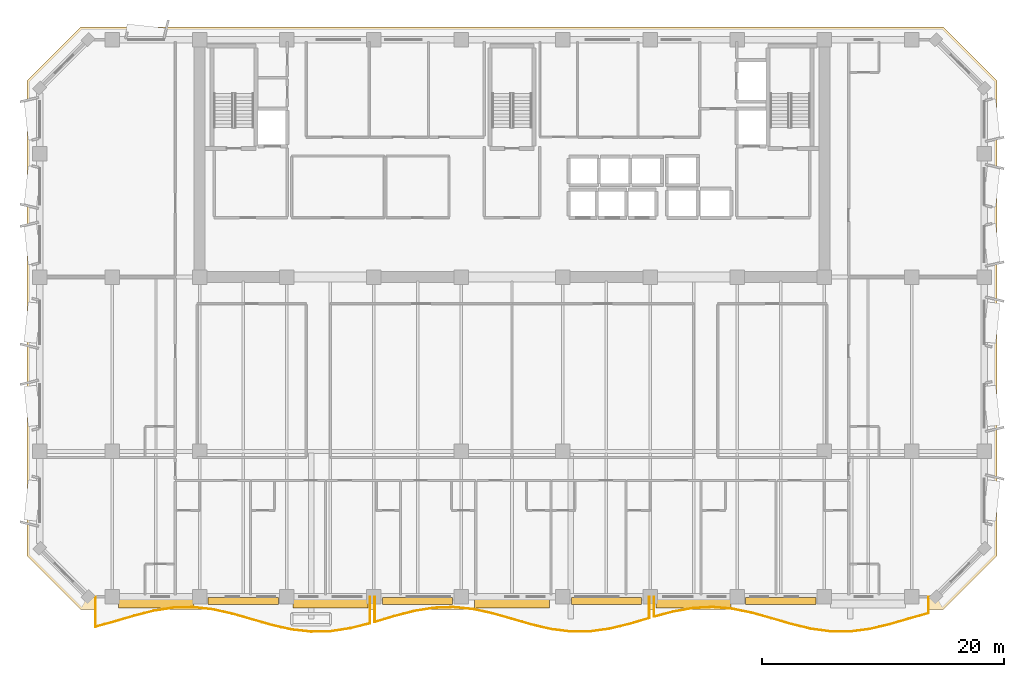
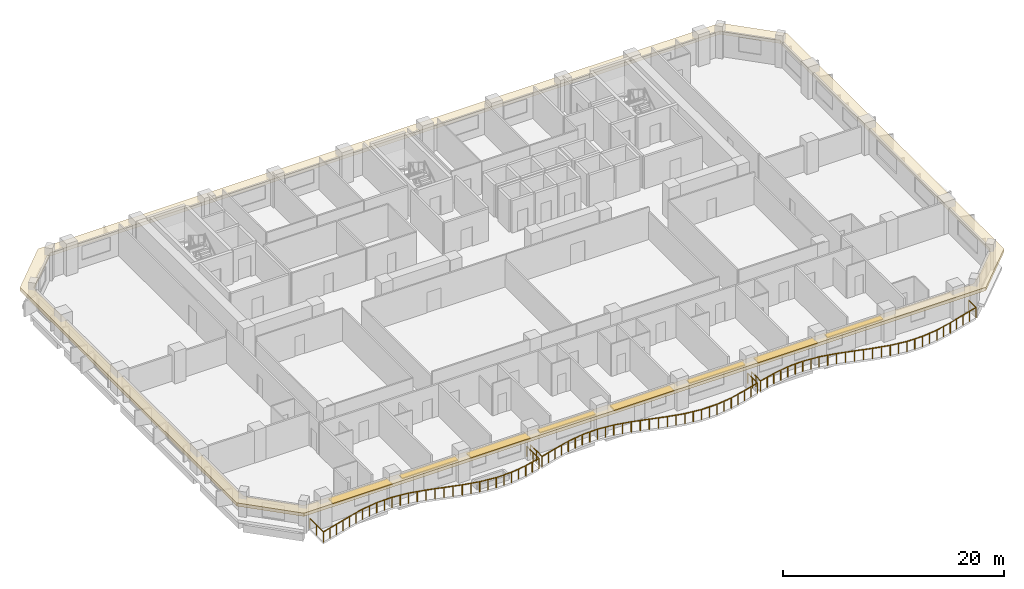
# One storey, part 11 of 15: 8 shading devices, 3 railings, 1 covering.
"""IFC4 building model written with IfcOpenShell, lengths in metres."""

import ifcopenshell
import ifcopenshell.guid

model = None  # the IFC model being written
_history = None  # IfcOwnerHistory: only IFC2X3 demands one
_inside = {}  # id of a spatial element -> (the spatial element, [elements in it])
_under = {}  # id of a project, library or spatial element -> (it, [spatial elements below it])
_declared = {}  # id of a project -> (the project, [libraries it declares])
_typed = {}  # id of a type object -> (the type object, [elements of that type])
_made_of = {}  # id of a material, layer set ... -> (it, [elements and type objects made of it])


def new_model(schema):
    """Start an empty IFC model of exactly this schema.

    Asked for "IFC4X3", IfcOpenShell would pick the latest addendum, in which some entities
    have other attributes; the version numbers below select the first issue.
    IFC2X3 requires an IfcOwnerHistory on every rooted entity: one is made here for all.
    """
    global model, _history
    if schema == "IFC4X3":
        model = ifcopenshell.file(schema_version=(4, 3, 0, 0))
    else:
        model = ifcopenshell.file(schema=schema)
    _inside.clear()
    _under.clear()
    _declared.clear()
    _typed.clear()
    _made_of.clear()
    _history = None
    if model.schema == "IFC2X3":
        org = make("IfcOrganization", Name="unknown")
        user = make(
            "IfcPersonAndOrganization",
            ThePerson=make("IfcPerson", FamilyName="unknown"),
            TheOrganization=org,
        )
        app = make(
            "IfcApplication",
            ApplicationDeveloper=org,
            Version="unknown",
            ApplicationFullName="unknown",
            ApplicationIdentifier="unknown",
        )
        _history = make(
            "IfcOwnerHistory",
            OwningUser=user,
            OwningApplication=app,
            ChangeAction="ADDED",
            CreationDate=0,
        )
    return model


def make(cls, **values):
    """One entity of the class cls with the attributes given. An attribute that is None is left unset."""
    return model.create_entity(
        cls, **{name: value for name, value in values.items() if value is not None}
    )


def rooted(cls, **values):
    """An entity with a GlobalId (a new one), such as an element, a storey or a relation."""
    return make(cls, GlobalId=ifcopenshell.guid.new(), OwnerHistory=_history, **values)


def si_unit(unit_type, name, prefix=None):
    """IfcSIUnit, for example si_unit("LENGTHUNIT", "METRE", prefix="MILLI")."""
    return make("IfcSIUnit", UnitType=unit_type, Prefix=prefix, Name=name)


def assignment(units):
    """IfcUnitAssignment: the units of a project."""
    return None if units is None else make("IfcUnitAssignment", Units=units)


def point(xyz):
    """IfcCartesianPoint."""
    return None if xyz is None else make("IfcCartesianPoint", Coordinates=xyz)


def direction(xyz):
    """IfcDirection."""
    return None if xyz is None else make("IfcDirection", DirectionRatios=xyz)


def frame(location, z_axis=None, x_axis=None):
    """IfcAxis2Placement3D, a coordinate frame: its origin and axes. An axis left out is left unset."""
    return make(
        "IfcAxis2Placement3D",
        Location=point(location),
        Axis=direction(z_axis),
        RefDirection=direction(x_axis),
    )


def frame_2d(location, x_axis=None):
    """IfcAxis2Placement2D, a coordinate frame in the plane: its origin and x axis."""
    return make(
        "IfcAxis2Placement2D", Location=point(location), RefDirection=direction(x_axis)
    )


def origin():
    """The frame at (0, 0, 0) with its axes left unset."""
    return frame((0.0, 0.0, 0.0))


def origin_2d():
    """The frame at (0, 0) in the plane with its x axis left unset."""
    return frame_2d((0.0, 0.0))


def place(relative_to, where):
    """IfcLocalPlacement: puts the frame where relative to a parent placement (None: the world)."""
    return make(
        "IfcLocalPlacement", PlacementRelTo=relative_to, RelativePlacement=where
    )


def context(
    kind, dimensions, precision=None, world=None, true_north=None, identifier=None
):
    """IfcGeometricRepresentationContext, for example the 3D "Model" context."""
    return make(
        "IfcGeometricRepresentationContext",
        ContextIdentifier=identifier,
        ContextType=kind,
        CoordinateSpaceDimension=dimensions,
        Precision=precision,
        WorldCoordinateSystem=world,
        TrueNorth=true_north,
    )


def subcontext(parent, identifier, kind, view, scale=None):
    """IfcGeometricRepresentationSubContext, for example "Body" below "Model"."""
    return make(
        "IfcGeometricRepresentationSubContext",
        ContextIdentifier=identifier,
        ContextType=kind,
        ParentContext=parent,
        TargetScale=scale,
        TargetView=view,
    )


def project(units=None, contexts=None):
    """IfcProject with its units and contexts."""
    return rooted(
        "IfcProject",
        Name="project",
        RepresentationContexts=contexts,
        UnitsInContext=assignment(units),
    )


def spatial(cls, under=None, at=None, **own):
    """A site, building, storey or space (cls), placed at a placement, below another one or the project."""
    s = rooted(cls, ObjectPlacement=at, **own)
    if under is not None:
        _under.setdefault(under.id(), (under, []))[1].append(s)
    return s


def polyline(points):
    """IfcPolyline through the points."""
    return make("IfcPolyline", Points=[point(p) for p in points])


def profile(cls, at=None, kind="AREA", **sizes):
    """A parametric profile (cls). Its sizes go by their IFC names, for example OverallWidth=200.0."""
    return make(cls, ProfileType=kind, Position=at, **sizes)


def rectangle(**sizes):
    """IfcRectangleProfileDef."""
    return profile("IfcRectangleProfileDef", **sizes)


def outline(outer, holes=None, kind="AREA"):
    """IfcArbitraryClosedProfileDef: a profile drawn as a closed curve; with holes, ...WithVoids."""
    if holes is None:
        return make("IfcArbitraryClosedProfileDef", ProfileType=kind, OuterCurve=outer)
    return make(
        "IfcArbitraryProfileDefWithVoids",
        ProfileType=kind,
        OuterCurve=outer,
        InnerCurves=holes,
    )


def extrude(swept, where, along, depth):
    """IfcExtrudedAreaSolid: the profile swept, set in the frame where, extruded along a direction by depth."""
    return make(
        "IfcExtrudedAreaSolid",
        SweptArea=swept,
        Position=where,
        ExtrudedDirection=direction(along),
        Depth=depth,
    )


def shape(context_of_items, identifier, shape_type, items):
    """IfcShapeRepresentation: the items that make up one representation, for example the "Body"."""
    return make(
        "IfcShapeRepresentation",
        ContextOfItems=context_of_items,
        RepresentationIdentifier=identifier,
        RepresentationType=shape_type,
        Items=items,
    )


def material(Name=None, Category=None):
    """IfcMaterial."""
    return make("IfcMaterial", Name=Name, Category=Category)


def layer(
    of_material, thickness, ventilated=None, Name=None, Category=None, Priority=None
):
    """IfcMaterialLayer: one layer of a wall or slab, of a material (None: an air gap)."""
    return make(
        "IfcMaterialLayer",
        Material=of_material,
        LayerThickness=thickness,
        IsVentilated=ventilated,
        Name=Name,
        Category=Category,
        Priority=Priority,
    )


def layer_set(layers, Name=None):
    """IfcMaterialLayerSet."""
    return make("IfcMaterialLayerSet", MaterialLayers=layers, LayerSetName=Name)


def made_of(thing, what):
    """Note that an element or type object is made of a material, layer set ...; save() writes the relation."""
    if what is not None:
        _made_of.setdefault(what.id(), (what, []))[1].append(thing)
    return thing


def type_object(cls, material=None, **own):
    """A type object (cls), such as IfcWallType, which elements share."""
    return made_of(rooted(cls, **own), material)


def element(
    cls,
    number,
    at=None,
    inside=None,
    cuts=None,
    type_object=None,
    material=None,
    context=None,
    identifier="Body",
    shape_type=None,
    held_by="IfcProductDefinitionShape",
    body=None,
    shapes=None,
    **own,
):
    """One element of the class cls, such as IfcWall. Its Tag is "e" and its number.

    at: its placement. inside: the storey or other place that contains it. cuts: it is an
    opening in that element (IfcRelVoidsElement). A single representation is given by context,
    identifier, shape_type and body (its items); several are given by shapes. held_by: the class
    of the entity that holds the representations. save() writes the other relations.
    """
    e = rooted(cls, Tag="e%d" % number, ObjectPlacement=at, **own)
    if body is not None:
        shapes = [shape(context, identifier, shape_type, body)]
    if shapes is not None:
        e.Representation = make(held_by, Representations=shapes)
    if inside is not None:
        _inside.setdefault(inside.id(), (inside, []))[1].append(e)
    if cuts is not None:
        rooted(
            "IfcRelVoidsElement", RelatingBuildingElement=cuts, RelatedOpeningElement=e
        )
    if type_object is not None:
        _typed.setdefault(type_object.id(), (type_object, []))[1].append(e)
    return made_of(e, material)


def aggregate(whole, parts):
    """IfcRelAggregates: a whole, such as a stair, and the parts it consists of."""
    return rooted("IfcRelAggregates", RelatingObject=whole, RelatedObjects=parts)


def save(model, path):
    """Write the relations noted so far, then the file.

    IfcRelAggregates (storeys below a building ...), IfcRelContainedInSpatialStructure (elements
    in a storey), IfcRelDefinesByType, IfcRelAssociatesMaterial and IfcRelDeclares: one each for
    every whole, place, type object, material and project.
    """
    for whole, parts in _under.values():
        aggregate(whole, parts)
    for where, things in _inside.values():
        rooted(
            "IfcRelContainedInSpatialStructure",
            RelatedElements=things,
            RelatingStructure=where,
        )
    for kind, things in _typed.values():
        rooted("IfcRelDefinesByType", RelatedObjects=things, RelatingType=kind)
    for what, things in _made_of.values():
        rooted("IfcRelAssociatesMaterial", RelatedObjects=things, RelatingMaterial=what)
    for by, libraries in _declared.values():
        rooted("IfcRelDeclares", RelatingContext=by, RelatedDefinitions=libraries)
    model.write(path)


model = new_model("IFC4")

# Units and contexts
model_context = context("Model", 3, precision=1e-05, world=origin(), true_north=direction((0.0, 1.0)))
body_context = subcontext(model_context, "Body", "Model", "MODEL_VIEW")
ifc_project = project(units=[si_unit("LENGTHUNIT", "METRE"), si_unit("AREAUNIT", "SQUARE_METRE"), si_unit("VOLUMEUNIT", "CUBIC_METRE"), si_unit("PLANEANGLEUNIT", "RADIAN"), si_unit("MASSUNIT", "GRAM", prefix="KILO")], contexts=[model_context])

# Site, building, storey
site_placement = place(None, origin())
site = spatial("IfcSite", under=ifc_project, at=site_placement, CompositionType="ELEMENT")
building_placement = place(site_placement, origin())
building = spatial("IfcBuilding", under=site, at=building_placement, Name="Kaelvorn Grand Hotel", CompositionType="ELEMENT")
storey_placement = place(building_placement, frame((0.0, 0.0, 158.14990234375)))
storey = spatial("IfcBuildingStorey", under=building, at=storey_placement, Name="L38", CompositionType="ELEMENT", Elevation=158.14990234375)

# Covering
ifc_material_1 = material(Name="Precast concrete C45/55", Category="concrete")
ifc_layer_1 = layer(ifc_material_1, 0.260009765625)
ifc_layer_set_1 = layer_set([ifc_layer_1], Name="Precast concrete C45/55")
covering_type = type_object("IfcCoveringType", Name="COV-BAND-STREAMLINE-HEAD", PredefinedType="CLADDING", material=ifc_layer_set_1)
covering_placement = place(storey_placement, frame((0.0, 0.0, 2.380126953125)))
element("IfcCovering", 1, at=covering_placement, inside=storey, type_object=covering_type, Name="L38 Streamline Moderne Wraparound Horizontal Eyebrow Band", PredefinedType="CLADDING", context=body_context, shape_type="SweptSolid", body=[
    extrude(outline(polyline([(6.389892578125, 1.949951171875), (77.610107421875, 1.949951171875), (82.050048828125, 6.389892578125), (82.050048828125, 45.610107421875), (77.610107421875, 50.050048828125), (6.389892578125, 50.050048828125), (1.949951171875, 45.610107421875), (1.949951171875, 6.389892578125), (6.389892578125, 1.949951171875)]), holes=[polyline([(7.02001953125, 3.030029296875), (76.97998046875, 3.030029296875), (80.969970703125, 7.02001953125), (80.969970703125, 44.97998046875), (76.97998046875, 48.969970703125), (7.02001953125, 48.969970703125), (3.030029296875, 44.97998046875), (3.030029296875, 7.02001953125), (7.02001953125, 3.030029296875)])]), origin(), (0.0, 0.0, 1.0), 0.35986328125),
])

# Railings
ifc_material_2 = material(Name="Stainless Steel", Category="steel")
railing_type = type_object("IfcRailingType", Name="RL-BALC-1150", PredefinedType="BALUSTRADE", material=ifc_material_2)
railing_1_placement = place(storey_placement, frame((7.60009765625, 3.0, 0.0)))
element("IfcRailing", 2, at=railing_1_placement, inside=storey, type_object=railing_type, Name="L38 Scalloped Wave Balcony Balustrade GR1-1", PredefinedType="BALUSTRADE", context=body_context, shape_type="SweptSolid", body=[
    extrude(rectangle(XDim=0.048095703125, YDim=0.048095703125, at=origin_2d()), frame((0.0, 0.0, 1.1259765625), z_axis=(0.0, -1.0, 0.0), x_axis=(1.0, 0.0, 0.0)), (0.0, 0.0, 1.0), 2.4775390625),
    extrude(rectangle(XDim=0.048095703125, YDim=0.048095703125, at=origin_2d()), frame((0.0, -2.4775390625, 1.1259765625), z_axis=(0.964706723911, 0.263326673244, 0.0), x_axis=(-0.263326673244, 0.964706723911, 0.0)), (0.0, 0.0, 1.0), 1.67822265625),
    extrude(rectangle(XDim=0.048095703125, YDim=0.048095703125, at=origin_2d()), frame((1.618896484375, -2.03564453125, 1.1259765625), z_axis=(0.959271015447, 0.282487378343, 0.0), x_axis=(-0.282487378343, 0.959271015447, 0.0)), (0.0, 0.0, 1.0), 1.68798828125),
    extrude(rectangle(XDim=0.048095703125, YDim=0.048095703125, at=origin_2d()), frame((3.238037109375, -1.558837890625, 1.1259765625), z_axis=(0.969684876745, 0.244358834119, 0.0), x_axis=(-0.244358834119, 0.969684876745, 0.0)), (0.0, 0.0, 1.0), 1.66943359375),
    extrude(rectangle(XDim=0.048095703125, YDim=0.048095703125, at=origin_2d()), frame((4.85693359375, -1.15087890625, 1.1259765625), z_axis=(0.988266376018, 0.152740204375, 0.0), x_axis=(-0.152740204375, 0.988266376018, 0.0)), (0.0, 0.0, 1.0), 1.638427734375),
    extrude(rectangle(XDim=0.048095703125, YDim=0.048095703125, at=origin_2d()), frame((6.47607421875, -0.900634765625, 1.1259765625), z_axis=(0.999719909885, 0.023666469519, 0.0), x_axis=(-0.023666469519, 0.999719909885, 0.0)), (0.0, 0.0, 1.0), 1.61962890625),
    extrude(rectangle(XDim=0.048095703125, YDim=0.048095703125, at=origin_2d()), frame((8.09521484375, -0.8623046875, 1.1259765625), z_axis=(0.993714448336, -0.111944607587, 0.0), x_axis=(0.111944607587, 0.993714448336, 0.0)), (0.0, 0.0, 1.0), 1.629150390625),
    extrude(rectangle(XDim=0.048095703125, YDim=0.048095703125, at=origin_2d()), frame((9.714111328125, -1.044677734375, 1.1259765625), z_axis=(0.975741913749, -0.218923999949, 0.0), x_axis=(0.218923999949, 0.975741913749, 0.0)), (0.0, 0.0, 1.0), 1.659423828125),
    extrude(rectangle(XDim=0.048095703125, YDim=0.048095703125, at=origin_2d()), frame((11.333251953125, -1.407958984375, 1.1259765625), z_axis=(0.961173148549, -0.275945970271, 0.0), x_axis=(0.275945970271, 0.961173148549, 0.0)), (0.0, 0.0, 1.0), 1.6845703125),
    extrude(rectangle(XDim=0.048095703125, YDim=0.048095703125, at=origin_2d()), frame((12.952392578125, -1.872802734375, 1.1259765625), z_axis=(0.961085178818, -0.276252201904, 0.0), x_axis=(0.276252201904, 0.961085178818, 0.0)), (0.0, 0.0, 1.0), 1.684326171875),
    extrude(rectangle(XDim=0.048095703125, YDim=0.048095703125, at=origin_2d()), frame((14.5712890625, -2.338134765625, 1.1259765625), z_axis=(0.975584547078, -0.219624205185, 0.0), x_axis=(0.219624205185, 0.975584547078, 0.0)), (0.0, 0.0, 1.0), 1.65966796875),
    extrude(rectangle(XDim=0.048095703125, YDim=0.048095703125, at=origin_2d()), frame((16.1904296875, -2.70263671875, 1.1259765625), z_axis=(0.993580397726, -0.113128215998, 0.0), x_axis=(0.113128215998, 0.993580397726, 0.0)), (0.0, 0.0, 1.0), 1.62939453125),
    extrude(rectangle(XDim=0.048095703125, YDim=0.048095703125, at=origin_2d()), frame((17.809326171875, -2.886962890625, 1.1259765625), z_axis=(0.999751090068, 0.022310488741, 0.0), x_axis=(-0.022310488741, 0.999751090068, 0.0)), (0.0, 0.0, 1.0), 1.61962890625),
    extrude(rectangle(XDim=0.048095703125, YDim=0.048095703125, at=origin_2d()), frame((19.428466796875, -2.850830078125, 1.1259765625), z_axis=(0.988423330197, 0.151721192723, 0.0), x_axis=(-0.151721192723, 0.988423330197, 0.0)), (0.0, 0.0, 1.0), 1.63818359375),
    extrude(rectangle(XDim=0.048095703125, YDim=0.048095703125, at=origin_2d()), frame((21.047607421875, -2.602294921875, 1.1259765625), z_axis=(0.969857916649, 0.243671133937, 0.0), x_axis=(-0.243671133937, 0.969857916649, 0.0)), (0.0, 0.0, 1.0), 1.669189453125),
    extrude(rectangle(XDim=0.048095703125, YDim=0.048095703125, at=origin_2d()), frame((22.66650390625, -2.195556640625, 1.1259765625), z_axis=(0.0, 1.0, 0.0), x_axis=(-1.0, 0.0, 0.0)), (0.0, 0.0, 1.0), 2.195556640625),
    extrude(rectangle(XDim=0.0419921875, YDim=0.0419921875, at=origin_2d()), origin(), (0.0, 0.0, 1.0), 1.101806640625),
    extrude(rectangle(XDim=0.0419921875, YDim=0.0419921875, at=origin_2d()), frame((0.0, -1.23876953125, 0.0)), (0.0, 0.0, 1.0), 1.101806640625),
    extrude(rectangle(XDim=0.0419921875, YDim=0.0419921875, at=origin_2d()), frame((0.0, -2.4775390625, 0.0)), (0.0, 0.0, 1.0), 1.101806640625),
    extrude(rectangle(XDim=0.0419921875, YDim=0.0419921875, at=origin_2d()), frame((0.8095703125, -2.256591796875, 0.0)), (0.0, 0.0, 1.0), 1.101806640625),
    extrude(rectangle(XDim=0.0419921875, YDim=0.0419921875, at=origin_2d()), frame((1.618896484375, -2.03564453125, 0.0)), (0.0, 0.0, 1.0), 1.101806640625),
    extrude(rectangle(XDim=0.0419921875, YDim=0.0419921875, at=origin_2d()), frame((2.428466796875, -1.79736328125, 0.0)), (0.0, 0.0, 1.0), 1.101806640625),
    extrude(rectangle(XDim=0.0419921875, YDim=0.0419921875, at=origin_2d()), frame((3.238037109375, -1.558837890625, 0.0)), (0.0, 0.0, 1.0), 1.101806640625),
    extrude(rectangle(XDim=0.0419921875, YDim=0.0419921875, at=origin_2d()), frame((4.04736328125, -1.35498046875, 0.0)), (0.0, 0.0, 1.0), 1.101806640625),
    extrude(rectangle(XDim=0.0419921875, YDim=0.0419921875, at=origin_2d()), frame((4.85693359375, -1.15087890625, 0.0)), (0.0, 0.0, 1.0), 1.101806640625),
    extrude(rectangle(XDim=0.0419921875, YDim=0.0419921875, at=origin_2d()), frame((5.66650390625, -1.02587890625, 0.0)), (0.0, 0.0, 1.0), 1.101806640625),
    extrude(rectangle(XDim=0.0419921875, YDim=0.0419921875, at=origin_2d()), frame((6.47607421875, -0.900634765625, 0.0)), (0.0, 0.0, 1.0), 1.101806640625),
    extrude(rectangle(XDim=0.0419921875, YDim=0.0419921875, at=origin_2d()), frame((7.28564453125, -0.88134765625, 0.0)), (0.0, 0.0, 1.0), 1.101806640625),
    extrude(rectangle(XDim=0.0419921875, YDim=0.0419921875, at=origin_2d()), frame((8.09521484375, -0.8623046875, 0.0)), (0.0, 0.0, 1.0), 1.101806640625),
    extrude(rectangle(XDim=0.0419921875, YDim=0.0419921875, at=origin_2d()), frame((8.90478515625, -0.95361328125, 0.0)), (0.0, 0.0, 1.0), 1.101806640625),
    extrude(rectangle(XDim=0.0419921875, YDim=0.0419921875, at=origin_2d()), frame((9.714111328125, -1.044677734375, 0.0)), (0.0, 0.0, 1.0), 1.101806640625),
    extrude(rectangle(XDim=0.0419921875, YDim=0.0419921875, at=origin_2d()), frame((10.523681640625, -1.226318359375, 0.0)), (0.0, 0.0, 1.0), 1.101806640625),
    extrude(rectangle(XDim=0.0419921875, YDim=0.0419921875, at=origin_2d()), frame((11.333251953125, -1.407958984375, 0.0)), (0.0, 0.0, 1.0), 1.101806640625),
    extrude(rectangle(XDim=0.0419921875, YDim=0.0419921875, at=origin_2d()), frame((12.142822265625, -1.640380859375, 0.0)), (0.0, 0.0, 1.0), 1.101806640625),
    extrude(rectangle(XDim=0.0419921875, YDim=0.0419921875, at=origin_2d()), frame((12.952392578125, -1.872802734375, 0.0)), (0.0, 0.0, 1.0), 1.101806640625),
    extrude(rectangle(XDim=0.0419921875, YDim=0.0419921875, at=origin_2d()), frame((13.76171875, -2.10546875, 0.0)), (0.0, 0.0, 1.0), 1.101806640625),
    extrude(rectangle(XDim=0.0419921875, YDim=0.0419921875, at=origin_2d()), frame((14.5712890625, -2.338134765625, 0.0)), (0.0, 0.0, 1.0), 1.101806640625),
    extrude(rectangle(XDim=0.0419921875, YDim=0.0419921875, at=origin_2d()), frame((15.380859375, -2.5205078125, 0.0)), (0.0, 0.0, 1.0), 1.101806640625),
    extrude(rectangle(XDim=0.0419921875, YDim=0.0419921875, at=origin_2d()), frame((16.1904296875, -2.70263671875, 0.0)), (0.0, 0.0, 1.0), 1.101806640625),
    extrude(rectangle(XDim=0.0419921875, YDim=0.0419921875, at=origin_2d()), frame((17.0, -2.794921875, 0.0)), (0.0, 0.0, 1.0), 1.101806640625),
    extrude(rectangle(XDim=0.0419921875, YDim=0.0419921875, at=origin_2d()), frame((17.809326171875, -2.886962890625, 0.0)), (0.0, 0.0, 1.0), 1.101806640625),
    extrude(rectangle(XDim=0.0419921875, YDim=0.0419921875, at=origin_2d()), frame((18.618896484375, -2.868896484375, 0.0)), (0.0, 0.0, 1.0), 1.101806640625),
    extrude(rectangle(XDim=0.0419921875, YDim=0.0419921875, at=origin_2d()), frame((19.428466796875, -2.850830078125, 0.0)), (0.0, 0.0, 1.0), 1.101806640625),
    extrude(rectangle(XDim=0.0419921875, YDim=0.0419921875, at=origin_2d()), frame((20.238037109375, -2.7265625, 0.0)), (0.0, 0.0, 1.0), 1.101806640625),
    extrude(rectangle(XDim=0.0419921875, YDim=0.0419921875, at=origin_2d()), frame((21.047607421875, -2.602294921875, 0.0)), (0.0, 0.0, 1.0), 1.101806640625),
    extrude(rectangle(XDim=0.0419921875, YDim=0.0419921875, at=origin_2d()), frame((21.85693359375, -2.39892578125, 0.0)), (0.0, 0.0, 1.0), 1.101806640625),
    extrude(rectangle(XDim=0.0419921875, YDim=0.0419921875, at=origin_2d()), frame((22.66650390625, -2.195556640625, 0.0)), (0.0, 0.0, 1.0), 1.101806640625),
    extrude(rectangle(XDim=0.0419921875, YDim=0.0419921875, at=origin_2d()), frame((22.66650390625, -1.09765625, 0.0)), (0.0, 0.0, 1.0), 1.101806640625),
    extrude(rectangle(XDim=0.0419921875, YDim=0.0419921875, at=origin_2d()), frame((22.66650390625, 0.0, 0.0)), (0.0, 0.0, 1.0), 1.101806640625),
])
railing_2_placement = place(storey_placement, frame((30.666748046875, 3.0, 0.0)))
element("IfcRailing", 3, at=railing_2_placement, inside=storey, type_object=railing_type, Name="L38 Scalloped Wave Balcony Balustrade GR1-2", PredefinedType="BALUSTRADE", context=body_context, shape_type="SweptSolid", body=[
    extrude(rectangle(XDim=0.048095703125, YDim=0.048095703125, at=origin_2d()), frame((0.0, 0.0, 1.1259765625), z_axis=(0.0, -1.0, 0.0), x_axis=(1.0, 0.0, 0.0)), (0.0, 0.0, 1.0), 2.080322265625),
    extrude(rectangle(XDim=0.048095703125, YDim=0.048095703125, at=origin_2d()), frame((0.0, -2.080322265625, 1.1259765625), z_axis=(0.959063249993, 0.283191953474, 0.0), x_axis=(-0.283191953474, 0.959063249993, 0.0)), (0.0, 0.0, 1.0), 1.68798828125),
    extrude(rectangle(XDim=0.048095703125, YDim=0.048095703125, at=origin_2d()), frame((1.618896484375, -1.602294921875, 1.1259765625), z_axis=(0.968153012553, 0.250359230478, 0.0), x_axis=(-0.250359230478, 0.968153012553, 0.0)), (0.0, 0.0, 1.0), 1.67236328125),
    extrude(rectangle(XDim=0.048095703125, YDim=0.048095703125, at=origin_2d()), frame((3.238037109375, -1.18359375, 1.1259765625), z_axis=(0.986570255456, 0.163337475949, 0.0), x_axis=(-0.163337475949, 0.986570255456, 0.0)), (0.0, 0.0, 1.0), 1.64111328125),
    extrude(rectangle(XDim=0.048095703125, YDim=0.048095703125, at=origin_2d()), frame((4.857177734375, -0.91552734375, 1.1259765625), z_axis=(0.999334712879, 0.036470969766, 0.0), x_axis=(-0.036470969766, 0.999334712879, 0.0)), (0.0, 0.0, 1.0), 1.619873046875),
    extrude(rectangle(XDim=0.048095703125, YDim=0.048095703125, at=origin_2d()), frame((6.47607421875, -0.8564453125, 1.1259765625), z_axis=(0.994995510951, -0.099919633639, 0.0), x_axis=(0.099919633639, 0.994995510951, 0.0)), (0.0, 0.0, 1.0), 1.627197265625),
    extrude(rectangle(XDim=0.048095703125, YDim=0.048095703125, at=origin_2d()), frame((8.09521484375, -1.01904296875, 1.1259765625), z_axis=(0.977557965922, -0.210666616393, 0.0), x_axis=(0.210666616393, 0.977557965922, 0.0)), (0.0, 0.0, 1.0), 1.656005859375),
    extrude(rectangle(XDim=0.048095703125, YDim=0.048095703125, at=origin_2d()), frame((9.714111328125, -1.367919921875, 1.1259765625), z_axis=(0.962015046514, -0.272996429062, 0.0), x_axis=(0.272996429062, 0.962015046514, 0.0)), (0.0, 0.0, 1.0), 1.68310546875),
    extrude(rectangle(XDim=0.048095703125, YDim=0.048095703125, at=origin_2d()), frame((11.333251953125, -1.827392578125, 1.1259765625), z_axis=(0.960401242625, -0.278620625876, 0.0), x_axis=(0.278620625876, 0.960401242625, 0.0)), (0.0, 0.0, 1.0), 1.685791015625),
    extrude(rectangle(XDim=0.048095703125, YDim=0.048095703125, at=origin_2d()), frame((12.952392578125, -2.297119140625, 1.1259765625), z_axis=(0.973816289073, -0.22733639202, 0.0), x_axis=(0.22733639202, 0.973816289073, 0.0)), (0.0, 0.0, 1.0), 1.662353515625),
    extrude(rectangle(XDim=0.048095703125, YDim=0.048095703125, at=origin_2d()), frame((14.5712890625, -2.675048828125, 1.1259765625), z_axis=(0.992185538276, -0.124771221188, 0.0), x_axis=(0.124771221188, 0.992185538276, 0.0)), (0.0, 0.0, 1.0), 1.6318359375),
    extrude(rectangle(XDim=0.048095703125, YDim=0.048095703125, at=origin_2d()), frame((16.1904296875, -2.878662109375, 1.1259765625), z_axis=(0.9999576899, 0.009198826585, 0.0), x_axis=(-0.009198826585, 0.9999576899, 0.0)), (0.0, 0.0, 1.0), 1.618896484375),
    extrude(rectangle(XDim=0.048095703125, YDim=0.048095703125, at=origin_2d()), frame((17.809326171875, -2.86376953125, 1.1259765625), z_axis=(0.9900626322, 0.140627110907, 0.0), x_axis=(-0.140627110907, 0.9900626322, 0.0)), (0.0, 0.0, 1.0), 1.635498046875),
    extrude(rectangle(XDim=0.048095703125, YDim=0.048095703125, at=origin_2d()), frame((19.428466796875, -2.6337890625, 1.1259765625), z_axis=(0.971438035801, 0.237293368214, 0.0), x_axis=(-0.237293368214, 0.971438035801, 0.0)), (0.0, 0.0, 1.0), 1.666748046875),
    extrude(rectangle(XDim=0.048095703125, YDim=0.048095703125, at=origin_2d()), frame((21.047607421875, -2.23828125, 1.1259765625), z_axis=(0.959650766176, 0.281194606949, 0.0), x_axis=(-0.281194606949, 0.959650766176, 0.0)), (0.0, 0.0, 1.0), 1.68701171875),
    extrude(rectangle(XDim=0.048095703125, YDim=0.048095703125, at=origin_2d()), frame((22.66650390625, -1.763916015625, 1.1259765625), z_axis=(0.0, 1.0, 0.0), x_axis=(-1.0, 0.0, 0.0)), (0.0, 0.0, 1.0), 1.763916015625),
    extrude(rectangle(XDim=0.0419921875, YDim=0.0419921875, at=origin_2d()), origin(), (0.0, 0.0, 1.0), 1.101806640625),
    extrude(rectangle(XDim=0.0419921875, YDim=0.0419921875, at=origin_2d()), frame((0.0, -1.0400390625, 0.0)), (0.0, 0.0, 1.0), 1.101806640625),
    extrude(rectangle(XDim=0.0419921875, YDim=0.0419921875, at=origin_2d()), frame((0.0, -2.080322265625, 0.0)), (0.0, 0.0, 1.0), 1.101806640625),
    extrude(rectangle(XDim=0.0419921875, YDim=0.0419921875, at=origin_2d()), frame((0.8095703125, -1.84130859375, 0.0)), (0.0, 0.0, 1.0), 1.101806640625),
    extrude(rectangle(XDim=0.0419921875, YDim=0.0419921875, at=origin_2d()), frame((1.618896484375, -1.602294921875, 0.0)), (0.0, 0.0, 1.0), 1.101806640625),
    extrude(rectangle(XDim=0.0419921875, YDim=0.0419921875, at=origin_2d()), frame((2.428466796875, -1.39306640625, 0.0)), (0.0, 0.0, 1.0), 1.101806640625),
    extrude(rectangle(XDim=0.0419921875, YDim=0.0419921875, at=origin_2d()), frame((3.238037109375, -1.18359375, 0.0)), (0.0, 0.0, 1.0), 1.101806640625),
    extrude(rectangle(XDim=0.0419921875, YDim=0.0419921875, at=origin_2d()), frame((4.047607421875, -1.049560546875, 0.0)), (0.0, 0.0, 1.0), 1.101806640625),
    extrude(rectangle(XDim=0.0419921875, YDim=0.0419921875, at=origin_2d()), frame((4.857177734375, -0.91552734375, 0.0)), (0.0, 0.0, 1.0), 1.101806640625),
    extrude(rectangle(XDim=0.0419921875, YDim=0.0419921875, at=origin_2d()), frame((5.66650390625, -0.885986328125, 0.0)), (0.0, 0.0, 1.0), 1.101806640625),
    extrude(rectangle(XDim=0.0419921875, YDim=0.0419921875, at=origin_2d()), frame((6.47607421875, -0.8564453125, 0.0)), (0.0, 0.0, 1.0), 1.101806640625),
    extrude(rectangle(XDim=0.0419921875, YDim=0.0419921875, at=origin_2d()), frame((7.28564453125, -0.937744140625, 0.0)), (0.0, 0.0, 1.0), 1.101806640625),
    extrude(rectangle(XDim=0.0419921875, YDim=0.0419921875, at=origin_2d()), frame((8.09521484375, -1.01904296875, 0.0)), (0.0, 0.0, 1.0), 1.101806640625),
    extrude(rectangle(XDim=0.0419921875, YDim=0.0419921875, at=origin_2d()), frame((8.90478515625, -1.193359375, 0.0)), (0.0, 0.0, 1.0), 1.101806640625),
    extrude(rectangle(XDim=0.0419921875, YDim=0.0419921875, at=origin_2d()), frame((9.714111328125, -1.367919921875, 0.0)), (0.0, 0.0, 1.0), 1.101806640625),
    extrude(rectangle(XDim=0.0419921875, YDim=0.0419921875, at=origin_2d()), frame((10.523681640625, -1.59765625, 0.0)), (0.0, 0.0, 1.0), 1.101806640625),
    extrude(rectangle(XDim=0.0419921875, YDim=0.0419921875, at=origin_2d()), frame((11.333251953125, -1.827392578125, 0.0)), (0.0, 0.0, 1.0), 1.101806640625),
    extrude(rectangle(XDim=0.0419921875, YDim=0.0419921875, at=origin_2d()), frame((12.142822265625, -2.062255859375, 0.0)), (0.0, 0.0, 1.0), 1.101806640625),
    extrude(rectangle(XDim=0.0419921875, YDim=0.0419921875, at=origin_2d()), frame((12.952392578125, -2.297119140625, 0.0)), (0.0, 0.0, 1.0), 1.101806640625),
    extrude(rectangle(XDim=0.0419921875, YDim=0.0419921875, at=origin_2d()), frame((13.76171875, -2.486083984375, 0.0)), (0.0, 0.0, 1.0), 1.101806640625),
    extrude(rectangle(XDim=0.0419921875, YDim=0.0419921875, at=origin_2d()), frame((14.5712890625, -2.675048828125, 0.0)), (0.0, 0.0, 1.0), 1.101806640625),
    extrude(rectangle(XDim=0.0419921875, YDim=0.0419921875, at=origin_2d()), frame((15.380859375, -2.77685546875, 0.0)), (0.0, 0.0, 1.0), 1.101806640625),
    extrude(rectangle(XDim=0.0419921875, YDim=0.0419921875, at=origin_2d()), frame((16.1904296875, -2.878662109375, 0.0)), (0.0, 0.0, 1.0), 1.101806640625),
    extrude(rectangle(XDim=0.0419921875, YDim=0.0419921875, at=origin_2d()), frame((17.0, -2.87109375, 0.0)), (0.0, 0.0, 1.0), 1.101806640625),
    extrude(rectangle(XDim=0.0419921875, YDim=0.0419921875, at=origin_2d()), frame((17.809326171875, -2.86376953125, 0.0)), (0.0, 0.0, 1.0), 1.101806640625),
    extrude(rectangle(XDim=0.0419921875, YDim=0.0419921875, at=origin_2d()), frame((18.618896484375, -2.748779296875, 0.0)), (0.0, 0.0, 1.0), 1.101806640625),
    extrude(rectangle(XDim=0.0419921875, YDim=0.0419921875, at=origin_2d()), frame((19.428466796875, -2.6337890625, 0.0)), (0.0, 0.0, 1.0), 1.101806640625),
    extrude(rectangle(XDim=0.0419921875, YDim=0.0419921875, at=origin_2d()), frame((20.238037109375, -2.43603515625, 0.0)), (0.0, 0.0, 1.0), 1.101806640625),
    extrude(rectangle(XDim=0.0419921875, YDim=0.0419921875, at=origin_2d()), frame((21.047607421875, -2.23828125, 0.0)), (0.0, 0.0, 1.0), 1.101806640625),
    extrude(rectangle(XDim=0.0419921875, YDim=0.0419921875, at=origin_2d()), frame((21.85693359375, -2.0009765625, 0.0)), (0.0, 0.0, 1.0), 1.101806640625),
    extrude(rectangle(XDim=0.0419921875, YDim=0.0419921875, at=origin_2d()), frame((22.66650390625, -1.763916015625, 0.0)), (0.0, 0.0, 1.0), 1.101806640625),
    extrude(rectangle(XDim=0.0419921875, YDim=0.0419921875, at=origin_2d()), frame((22.66650390625, -0.8818359375, 0.0)), (0.0, 0.0, 1.0), 1.101806640625),
    extrude(rectangle(XDim=0.0419921875, YDim=0.0419921875, at=origin_2d()), frame((22.66650390625, 0.0, 0.0)), (0.0, 0.0, 1.0), 1.101806640625),
])
railing_3_placement = place(storey_placement, frame((53.7333984375, 3.0, 0.0)))
element("IfcRailing", 4, at=railing_3_placement, inside=storey, type_object=railing_type, Name="L38 Scalloped Wave Balcony Balustrade GR1-3", PredefinedType="BALUSTRADE", context=body_context, shape_type="SweptSolid", body=[
    extrude(rectangle(XDim=0.048095703125, YDim=0.048095703125, at=origin_2d()), frame((0.0, 0.0, 1.1259765625), z_axis=(0.0, -1.0, 0.0), x_axis=(1.0, 0.0, 0.0)), (0.0, 0.0, 1.0), 1.646240234375),
    extrude(rectangle(XDim=0.048095703125, YDim=0.048095703125, at=origin_2d()), frame((0.0, -1.646240234375, 1.1259765625), z_axis=(0.966714773479, 0.255856496374, 0.0), x_axis=(-0.255856496374, 0.966714773479, 0.0)), (0.0, 0.0, 1.0), 1.674560546875),
    extrude(rectangle(XDim=0.048095703125, YDim=0.048095703125, at=origin_2d()), frame((1.618896484375, -1.2177734375, 1.1259765625), z_axis=(0.984817922582, 0.17359049329, 0.0), x_axis=(-0.17359049329, 0.984817922582, 0.0)), (0.0, 0.0, 1.0), 1.64404296875),
    extrude(rectangle(XDim=0.048095703125, YDim=0.048095703125, at=origin_2d()), frame((3.238037109375, -0.932373046875, 1.1259765625), z_axis=(0.998779232858, 0.049396801625, 0.0), x_axis=(-0.049396801625, 0.998779232858, 0.0)), (0.0, 0.0, 1.0), 1.62109375),
    extrude(rectangle(XDim=0.048095703125, YDim=0.048095703125, at=origin_2d()), frame((4.857177734375, -0.852294921875, 1.1259765625), z_axis=(0.996144150132, -0.087731591566, 0.0), x_axis=(0.087731591566, 0.996144150132, 0.0)), (0.0, 0.0, 1.0), 1.625244140625),
    extrude(rectangle(XDim=0.048095703125, YDim=0.048095703125, at=origin_2d()), frame((6.47607421875, -0.994873046875, 1.1259765625), z_axis=(0.979381482603, -0.202019582057, 0.0), x_axis=(0.202019582057, 0.979381482603, 0.0)), (0.0, 0.0, 1.0), 1.6533203125),
    extrude(rectangle(XDim=0.048095703125, YDim=0.048095703125, at=origin_2d()), frame((8.09521484375, -1.328857421875, 1.1259765625), z_axis=(0.962989656047, -0.269538350418, 0.0), x_axis=(0.269538350418, 0.962989656047, 0.0)), (0.0, 0.0, 1.0), 1.68115234375),
    extrude(rectangle(XDim=0.048095703125, YDim=0.048095703125, at=origin_2d()), frame((9.714111328125, -1.781982421875, 1.1259765625), z_axis=(0.959818254788, -0.280622375759, 0.0), x_axis=(0.280622375759, 0.959818254788, 0.0)), (0.0, 0.0, 1.0), 1.68701171875),
    extrude(rectangle(XDim=0.048095703125, YDim=0.048095703125, at=origin_2d()), frame((11.333251953125, -2.25537109375, 1.1259765625), z_axis=(0.972143279615, -0.234387379992, 0.0), x_axis=(0.234387379992, 0.972143279615, 0.0)), (0.0, 0.0, 1.0), 1.66552734375),
    extrude(rectangle(XDim=0.048095703125, YDim=0.048095703125, at=origin_2d()), frame((12.952392578125, -2.645751953125, 1.1259765625), z_axis=(0.990674050906, -0.136253164594, 0.0), x_axis=(0.136253164594, 0.990674050906, 0.0)), (0.0, 0.0, 1.0), 1.634033203125),
    extrude(rectangle(XDim=0.048095703125, YDim=0.048095703125, at=origin_2d()), frame((14.5712890625, -2.868408203125, 1.1259765625), z_axis=(0.999992315375, -0.003920355881, 0.0), x_axis=(0.003920355881, 0.999992315375, 0.0)), (0.0, 0.0, 1.0), 1.619140625),
    extrude(rectangle(XDim=0.048095703125, YDim=0.048095703125, at=origin_2d()), frame((16.1904296875, -2.874755859375, 1.1259765625), z_axis=(0.991601244907, 0.129332792045, 0.0), x_axis=(-0.129332792045, 0.991601244907, 0.0)), (0.0, 0.0, 1.0), 1.6328125),
    extrude(rectangle(XDim=0.048095703125, YDim=0.048095703125, at=origin_2d()), frame((17.8095703125, -2.66357421875, 1.1259765625), z_axis=(0.973129632445, 0.230257938969, 0.0), x_axis=(-0.230257938969, 0.973129632445, 0.0)), (0.0, 0.0, 1.0), 1.66357421875),
    extrude(rectangle(XDim=0.048095703125, YDim=0.048095703125, at=origin_2d()), frame((19.428466796875, -2.280517578125, 1.1259765625), z_axis=(0.960129612925, 0.279555229578, 0.0), x_axis=(-0.279555229578, 0.960129612925, 0.0)), (0.0, 0.0, 1.0), 1.686279296875),
    extrude(rectangle(XDim=0.048095703125, YDim=0.048095703125, at=origin_2d()), frame((21.047607421875, -1.80908203125, 1.1259765625), z_axis=(0.962422446372, 0.271556687854, 0.0), x_axis=(-0.271556687854, 0.962422446372, 0.0)), (0.0, 0.0, 1.0), 1.68212890625),
    extrude(rectangle(XDim=0.048095703125, YDim=0.048095703125, at=origin_2d()), frame((22.66650390625, -1.352294921875, 1.1259765625), z_axis=(0.0, 1.0, 0.0), x_axis=(-1.0, 0.0, 0.0)), (0.0, 0.0, 1.0), 1.352294921875),
    extrude(rectangle(XDim=0.0419921875, YDim=0.0419921875, at=origin_2d()), origin(), (0.0, 0.0, 1.0), 1.101806640625),
    extrude(rectangle(XDim=0.0419921875, YDim=0.0419921875, at=origin_2d()), frame((0.0, -0.8232421875, 0.0)), (0.0, 0.0, 1.0), 1.101806640625),
    extrude(rectangle(XDim=0.0419921875, YDim=0.0419921875, at=origin_2d()), frame((0.0, -1.646240234375, 0.0)), (0.0, 0.0, 1.0), 1.101806640625),
    extrude(rectangle(XDim=0.0419921875, YDim=0.0419921875, at=origin_2d()), frame((0.8095703125, -1.43212890625, 0.0)), (0.0, 0.0, 1.0), 1.101806640625),
    extrude(rectangle(XDim=0.0419921875, YDim=0.0419921875, at=origin_2d()), frame((1.618896484375, -1.2177734375, 0.0)), (0.0, 0.0, 1.0), 1.101806640625),
    extrude(rectangle(XDim=0.0419921875, YDim=0.0419921875, at=origin_2d()), frame((2.428466796875, -1.0751953125, 0.0)), (0.0, 0.0, 1.0), 1.101806640625),
    extrude(rectangle(XDim=0.0419921875, YDim=0.0419921875, at=origin_2d()), frame((3.238037109375, -0.932373046875, 0.0)), (0.0, 0.0, 1.0), 1.101806640625),
    extrude(rectangle(XDim=0.0419921875, YDim=0.0419921875, at=origin_2d()), frame((4.047607421875, -0.892333984375, 0.0)), (0.0, 0.0, 1.0), 1.101806640625),
    extrude(rectangle(XDim=0.0419921875, YDim=0.0419921875, at=origin_2d()), frame((4.857177734375, -0.852294921875, 0.0)), (0.0, 0.0, 1.0), 1.101806640625),
    extrude(rectangle(XDim=0.0419921875, YDim=0.0419921875, at=origin_2d()), frame((5.66650390625, -0.923583984375, 0.0)), (0.0, 0.0, 1.0), 1.101806640625),
    extrude(rectangle(XDim=0.0419921875, YDim=0.0419921875, at=origin_2d()), frame((6.47607421875, -0.994873046875, 0.0)), (0.0, 0.0, 1.0), 1.101806640625),
    extrude(rectangle(XDim=0.0419921875, YDim=0.0419921875, at=origin_2d()), frame((7.28564453125, -1.161865234375, 0.0)), (0.0, 0.0, 1.0), 1.101806640625),
    extrude(rectangle(XDim=0.0419921875, YDim=0.0419921875, at=origin_2d()), frame((8.09521484375, -1.328857421875, 0.0)), (0.0, 0.0, 1.0), 1.101806640625),
    extrude(rectangle(XDim=0.0419921875, YDim=0.0419921875, at=origin_2d()), frame((8.90478515625, -1.555419921875, 0.0)), (0.0, 0.0, 1.0), 1.101806640625),
    extrude(rectangle(XDim=0.0419921875, YDim=0.0419921875, at=origin_2d()), frame((9.714111328125, -1.781982421875, 0.0)), (0.0, 0.0, 1.0), 1.101806640625),
    extrude(rectangle(XDim=0.0419921875, YDim=0.0419921875, at=origin_2d()), frame((10.523681640625, -2.0185546875, 0.0)), (0.0, 0.0, 1.0), 1.101806640625),
    extrude(rectangle(XDim=0.0419921875, YDim=0.0419921875, at=origin_2d()), frame((11.333251953125, -2.25537109375, 0.0)), (0.0, 0.0, 1.0), 1.101806640625),
    extrude(rectangle(XDim=0.0419921875, YDim=0.0419921875, at=origin_2d()), frame((12.142822265625, -2.45068359375, 0.0)), (0.0, 0.0, 1.0), 1.101806640625),
    extrude(rectangle(XDim=0.0419921875, YDim=0.0419921875, at=origin_2d()), frame((12.952392578125, -2.645751953125, 0.0)), (0.0, 0.0, 1.0), 1.101806640625),
    extrude(rectangle(XDim=0.0419921875, YDim=0.0419921875, at=origin_2d()), frame((13.76171875, -2.757080078125, 0.0)), (0.0, 0.0, 1.0), 1.101806640625),
    extrude(rectangle(XDim=0.0419921875, YDim=0.0419921875, at=origin_2d()), frame((14.5712890625, -2.868408203125, 0.0)), (0.0, 0.0, 1.0), 1.101806640625),
    extrude(rectangle(XDim=0.0419921875, YDim=0.0419921875, at=origin_2d()), frame((15.380859375, -2.87158203125, 0.0)), (0.0, 0.0, 1.0), 1.101806640625),
    extrude(rectangle(XDim=0.0419921875, YDim=0.0419921875, at=origin_2d()), frame((16.1904296875, -2.874755859375, 0.0)), (0.0, 0.0, 1.0), 1.101806640625),
    extrude(rectangle(XDim=0.0419921875, YDim=0.0419921875, at=origin_2d()), frame((17.0, -2.76904296875, 0.0)), (0.0, 0.0, 1.0), 1.101806640625),
    extrude(rectangle(XDim=0.0419921875, YDim=0.0419921875, at=origin_2d()), frame((17.8095703125, -2.66357421875, 0.0)), (0.0, 0.0, 1.0), 1.101806640625),
    extrude(rectangle(XDim=0.0419921875, YDim=0.0419921875, at=origin_2d()), frame((18.619140625, -2.47216796875, 0.0)), (0.0, 0.0, 1.0), 1.101806640625),
    extrude(rectangle(XDim=0.0419921875, YDim=0.0419921875, at=origin_2d()), frame((19.428466796875, -2.280517578125, 0.0)), (0.0, 0.0, 1.0), 1.101806640625),
    extrude(rectangle(XDim=0.0419921875, YDim=0.0419921875, at=origin_2d()), frame((20.238037109375, -2.044921875, 0.0)), (0.0, 0.0, 1.0), 1.101806640625),
    extrude(rectangle(XDim=0.0419921875, YDim=0.0419921875, at=origin_2d()), frame((21.047607421875, -1.80908203125, 0.0)), (0.0, 0.0, 1.0), 1.101806640625),
    extrude(rectangle(XDim=0.0419921875, YDim=0.0419921875, at=origin_2d()), frame((21.85693359375, -1.58056640625, 0.0)), (0.0, 0.0, 1.0), 1.101806640625),
    extrude(rectangle(XDim=0.0419921875, YDim=0.0419921875, at=origin_2d()), frame((22.66650390625, -1.352294921875, 0.0)), (0.0, 0.0, 1.0), 1.101806640625),
    extrude(rectangle(XDim=0.0419921875, YDim=0.0419921875, at=origin_2d()), frame((22.66650390625, 0.0, 0.0)), (0.0, 0.0, 1.0), 1.101806640625),
])

# Shading devices
ifc_layer_2 = layer(ifc_material_1, 0.1201171875)
ifc_layer_set_2 = layer_set([ifc_layer_2], Name="Precast concrete C45/55")
shading_device_type_1 = type_object("IfcShadingDeviceType", Name="SHD-SUNSHADE-550", PredefinedType="USERDEFINED", material=ifc_layer_set_2)
for number, where, z_axis, x_axis, name in (
    (5, (19.800048828125, 2.64501953125, 2.56005859375), (0.0, 0.0, 1.0), (1.0, 0.0, 0.0), "L38 Horizontal Concrete Sunshade Band SS-03"),
    (6, (34.199951171875, 2.64501953125, 2.56005859375), (0.0, 0.0, 1.0), (1.0, 0.0, 0.0), "L38 Horizontal Concrete Sunshade Band SS-05"),
    (7, (49.800048828125, 2.64501953125, 2.56005859375), (0.0, 0.0, 1.0), (1.0, 0.0, 0.0), "L38 Horizontal Concrete Sunshade Band SS-07"),
    (8, (64.199951171875, 2.64501953125, 2.56005859375), (0.0, 0.0, 1.0), (1.0, 0.0, 0.0), "L38 Horizontal Concrete Sunshade Band SS-09"),
):
    element("IfcShadingDevice", number, at=place(storey_placement, frame(where, z_axis=z_axis, x_axis=x_axis)), inside=storey, type_object=shading_device_type_1, Name=name, ObjectType="SUNSHADE", PredefinedType="USERDEFINED", context=body_context, shape_type="SweptSolid", body=[
        extrude(rectangle(XDim=5.800048828125, YDim=0.550048828125, at=origin_2d()), origin(), (0.0, 0.0, 1.0), 0.1201171875),
    ])
ifc_layer_3 = layer(ifc_material_1, 0.139892578125)
ifc_layer_set_3 = layer_set([ifc_layer_3], Name="Precast concrete C45/55")
shading_device_type_2 = type_object("IfcShadingDeviceType", Name="SHD-SUNSHADE-850", PredefinedType="USERDEFINED", material=ifc_layer_set_3)
for number, where, z_axis, x_axis, name in (
    (9, (12.60009765625, 2.4951171875, 2.55029296875), (0.0, 0.0, 1.0), (1.0, 0.0, 0.0), "L38 Horizontal Concrete Sunshade Band SS-02"),
    (10, (27.0, 2.4951171875, 2.55029296875), (0.0, 0.0, 1.0), (1.0, 0.0, 0.0), "L38 Horizontal Concrete Sunshade Band SS-04"),
    (11, (42.0, 2.4951171875, 2.55029296875), (0.0, 0.0, 1.0), (1.0, 0.0, 0.0), "L38 Horizontal Concrete Sunshade Band SS-06"),
    (12, (57.0, 2.4951171875, 2.55029296875), (0.0, 0.0, 1.0), (1.0, 0.0, 0.0), "L38 Horizontal Concrete Sunshade Band SS-08"),
):
    element("IfcShadingDevice", number, at=place(storey_placement, frame(where, z_axis=z_axis, x_axis=x_axis)), inside=storey, type_object=shading_device_type_2, Name=name, ObjectType="SUNSHADE", PredefinedType="USERDEFINED", context=body_context, shape_type="SweptSolid", body=[
        extrude(rectangle(XDim=6.199951171875, YDim=0.85009765625, at=origin_2d()), origin(), (0.0, 0.0, 1.0), 0.139892578125),
    ])

save(model, "model.ifc")
